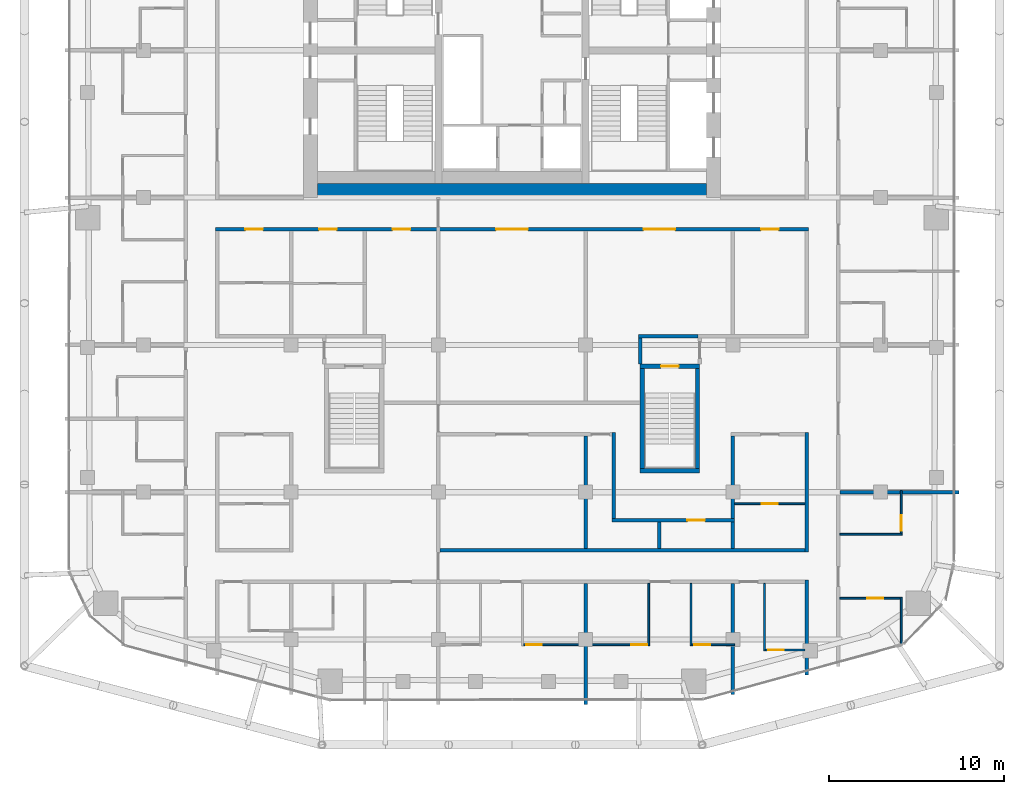
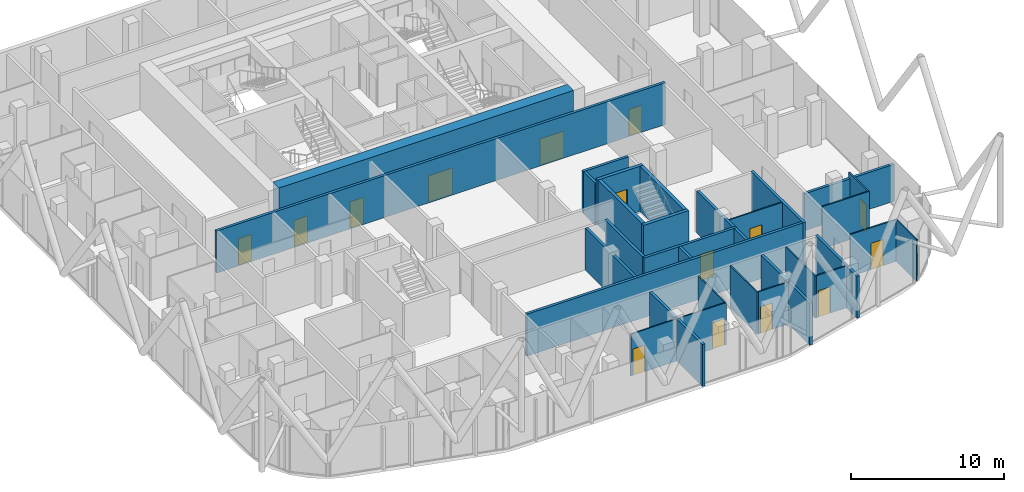
# One storey, part 25 of 31: 31 walls, 15 doors, 15 openings.
"""IFC4 building model written with IfcOpenShell, lengths in metres."""

from ifc_helpers import new_model, si_unit, direction, frame, frame_2d, origin, place, context, subcontext, project, spatial, rectangle, extrude, material, layer, layer_set, type_object, element, fill, save


model = new_model("IFC4")

# Units and contexts
model_context = context("Model", 3, precision=1e-05, world=origin(), true_north=direction((0.0, 1.0)))
body_context = subcontext(model_context, "Body", "Model", "MODEL_VIEW")
ifc_project = project(units=[si_unit("LENGTHUNIT", "METRE"), si_unit("AREAUNIT", "SQUARE_METRE"), si_unit("VOLUMEUNIT", "CUBIC_METRE"), si_unit("PLANEANGLEUNIT", "RADIAN"), si_unit("MASSUNIT", "GRAM", prefix="KILO")], contexts=[model_context])

# Site, building, storey
site_placement = place(None, origin())
site = spatial("IfcSite", under=ifc_project, at=site_placement, CompositionType="ELEMENT")
building_placement = place(site_placement, origin())
building = spatial("IfcBuilding", under=site, at=building_placement, Name="Marenta Gate Hotel Tower", CompositionType="ELEMENT")
storey_placement = place(building_placement, frame((0.0, 0.0, 205.699951171875)))
storey = spatial("IfcBuildingStorey", under=building, at=storey_placement, Name="L47", CompositionType="ELEMENT", Elevation=205.699951171875)

# Walls
ifc_material_1 = material(Name="Concrete C60", Category="concrete")
ifc_layer_1 = layer(ifc_material_1, 0.800048828125)
ifc_layer_set_1 = layer_set([ifc_layer_1], Name="Concrete C60")
wall_type_1 = type_object("IfcWallType", Name="Core wall 800 C60", PredefinedType="SHEAR", material=ifc_layer_set_1)
wall_1_placement = place(storey_placement, frame((-11.10009765625, 0.39990234375, 0.0), z_axis=(0.0, 0.0, 1.0), x_axis=(1.0, 0.0, 0.0)))
element("IfcWall", 1, at=wall_1_placement, inside=storey, type_object=wall_type_1, Name="L47-CORE-S", PredefinedType="SHEAR", context=body_context, shape_type="SweptSolid", body=[
    extrude(rectangle(XDim=22.2001953125, YDim=0.800048828125, at=frame_2d((11.10009765625, 0.0))), origin(), (0.0, 0.0, 1.0), 3.60009765625),
])
ifc_material_2 = material(Name="Concrete C40", Category="concrete")
ifc_layer_2 = layer(ifc_material_2, 0.25)
ifc_layer_set_2 = layer_set([ifc_layer_2], Name="Concrete C40")
wall_type_2 = type_object("IfcWallType", Name="Remote stair enclosure wall 250 REI 180", PredefinedType="SHEAR", material=ifc_layer_set_2)
wall_2_placement = place(storey_placement, frame((7.300048828125, -15.574951171875, 0.10009765625), z_axis=(0.0, 0.0, 1.0), x_axis=(1.0, 0.0, 0.0)))
element("IfcWall", 2, at=wall_2_placement, inside=storey, type_object=wall_type_2, Name="L47-RS-Z3-2-W1", PredefinedType="SHEAR", context=body_context, shape_type="SweptSolid", body=[
    extrude(rectangle(XDim=3.39990234375, YDim=0.25, at=frame_2d((1.699951171875, 0.0))), origin(), (0.0, 0.0, 1.0), 3.599853515625),
])

# Wall, opening, door
wall_3_placement = place(storey_placement, frame((7.300048828125, -9.625, 0.10009765625), z_axis=(0.0, 0.0, 1.0), x_axis=(1.0, 0.0, 0.0)))
wall_3 = element("IfcWall", 3, at=wall_3_placement, inside=storey, type_object=wall_type_2, Name="L47-RS-Z3-2-W2", PredefinedType="SHEAR", context=body_context, shape_type="SweptSolid", body=[
    extrude(rectangle(XDim=3.39990234375, YDim=0.25, at=frame_2d((1.699951171875, 0.0))), origin(), (0.0, 0.0, 1.0), 3.599853515625),
])
opening_1_placement = place(wall_3_placement, frame((1.199951171875, 0.0, 0.0)))
opening_1 = element("IfcOpeningElement", 4, at=opening_1_placement, cuts=wall_3, Name="Opening VD", PredefinedType="OPENING", context=body_context, shape_type="SweptSolid", body=[
    extrude(rectangle(XDim=1.0, YDim=2.10009765625, at=frame_2d((0.5, 1.050048828125))), frame((0.0, 0.125, 0.0), z_axis=(0.0, -1.0, 0.0), x_axis=(1.0, 0.0, 0.0)), (0.0, 0.0, 1.0), 0.25),
])
ifc_material_3 = material(Name="Steel", Category="steel")
door_type_1 = type_object("IfcDoorType", Name="Stair vestibule door 1000x2100 FD60", OperationType="SINGLE_SWING_LEFT", PredefinedType="DOOR", material=ifc_material_3)
door_1_placement = place(opening_1_placement, origin())
door_1 = element("IfcDoor", 5, at=door_1_placement, inside=storey, type_object=door_type_1, Name="VD", OperationType="SINGLE_SWING_LEFT", OverallHeight=2.10009765625, OverallWidth=1.0, PredefinedType="DOOR", context=body_context, shape_type="SweptSolid", body=[
    extrude(rectangle(XDim=1.0, YDim=2.10009765625, at=frame_2d((0.5, 1.050048828125))), frame((0.0, 0.02490234375, 0.0), z_axis=(0.0, -1.0, 0.0), x_axis=(1.0, 0.0, 0.0)), (0.0, 0.0, 1.0), 0.050048828125),
])
fill(opening_1, door_1)

# Walls
for number, where, z_axis, x_axis, name in (
    (6, (7.425048828125, -15.449951171875, 0.10009765625), (0.0, 0.0, 1.0), (0.0, 1.0, 0.0), "L47-RS-Z3-2-W3"),
    (7, (10.574951171875, -15.449951171875, 0.10009765625), (0.0, 0.0, 1.0), (0.0, 1.0, 0.0), "L47-RS-Z3-2-W4"),
):
    element("IfcWall", number, at=place(storey_placement, frame(where, z_axis=z_axis, x_axis=x_axis)), inside=storey, type_object=wall_type_2, Name=name, PredefinedType="SHEAR", context=body_context, shape_type="SweptSolid", body=[
        extrude(rectangle(XDim=5.699951171875, YDim=0.25, at=frame_2d((2.85009765625, 0.0))), origin(), (0.0, 0.0, 1.0), 3.599853515625),
    ])
ifc_material_4 = material(Name="Concrete blockwork", Category="masonry")
ifc_layer_3 = layer(ifc_material_4, 0.199951171875)
ifc_layer_set_3 = layer_set([ifc_layer_3], Name="Concrete blockwork")
wall_type_3 = type_object("IfcWallType", Name="Room corridor wall 200 EI 120", PredefinedType="PARTITIONING", material=ifc_layer_set_3)
wall_4_placement = place(storey_placement, frame((-4.10009765625, -20.10009765625, 0.0), z_axis=(0.0, 0.0, 1.0), x_axis=(1.0, 0.0, 0.0)))
element("IfcWall", 8, at=wall_4_placement, inside=storey, type_object=wall_type_3, Name="L47-PTN-W016", PredefinedType="PARTITIONING", context=body_context, shape_type="SweptSolid", body=[
    extrude(rectangle(XDim=20.800048828125, YDim=0.199951171875, at=frame_2d((10.39990234375, 0.0))), origin(), (0.0, 0.0, 1.0), 3.340087890625),
])
wall_5_placement = place(storey_placement, frame((16.800048828125, -20.199951171875, 0.0), z_axis=(0.0, 0.0, 1.0), x_axis=(0.0, 1.0, 0.0)))
element("IfcWall", 9, at=wall_5_placement, inside=storey, type_object=wall_type_3, Name="L47-PTN-W024", PredefinedType="PARTITIONING", context=body_context, shape_type="SweptSolid", body=[
    extrude(rectangle(XDim=6.800048828125, YDim=0.199951171875, at=frame_2d((3.39990234375, 0.0))), origin(), (0.0, 0.0, 1.0), 3.340087890625),
])
wall_6_placement = place(storey_placement, frame((12.60009765625, -18.300048828125, 0.0), z_axis=(0.0, 0.0, 1.0), x_axis=(0.0, 1.0, 0.0)))
element("IfcWall", 10, at=wall_6_placement, inside=storey, type_object=wall_type_3, Name="L47-PTN-W038", PredefinedType="PARTITIONING", context=body_context, shape_type="SweptSolid", body=[
    extrude(rectangle(XDim=4.699951171875, YDim=0.199951171875, at=frame_2d((2.35009765625, 0.0))), origin(), (0.0, 0.0, 1.0), 3.340087890625),
])

# Wall, openings, doors
wall_7_placement = place(storey_placement, frame((-16.89990234375, -1.800048828125, 0.0), z_axis=(0.0, 0.0, 1.0), x_axis=(1.0, 0.0, 0.0)))
wall_7 = element("IfcWall", 11, at=wall_7_placement, inside=storey, type_object=wall_type_3, Name="L47-PTN-W064", PredefinedType="PARTITIONING", context=body_context, shape_type="SweptSolid", body=[
    extrude(rectangle(XDim=33.7998046875, YDim=0.199951171875, at=frame_2d((16.89990234375, 0.0))), origin(), (0.0, 0.0, 1.0), 3.340087890625),
])
opening_2_placement = place(wall_7_placement, frame((1.699951171875, 0.0, 0.0)))
opening_2 = element("IfcOpeningElement", 12, at=opening_2_placement, cuts=wall_7, Name="Opening G16-01", PredefinedType="OPENING", context=body_context, shape_type="SweptSolid", body=[
    extrude(rectangle(XDim=1.0, YDim=2.10009765625, at=frame_2d((0.5, 1.050048828125))), frame((0.0, 0.10009765625, 0.0), z_axis=(0.0, -1.0, 0.0), x_axis=(1.0, 0.0, 0.0)), (0.0, 0.0, 1.0), 0.199951171875),
])
opening_3_placement = place(wall_7_placement, frame((5.89990234375, 0.0, 0.0)))
opening_3 = element("IfcOpeningElement", 13, at=opening_3_placement, cuts=wall_7, Name="Opening G16-03", PredefinedType="OPENING", context=body_context, shape_type="SweptSolid", body=[
    extrude(rectangle(XDim=1.0, YDim=2.10009765625, at=frame_2d((0.5, 1.050048828125))), frame((0.0, 0.10009765625, 0.0), z_axis=(0.0, -1.0, 0.0), x_axis=(1.0, 0.0, 0.0)), (0.0, 0.0, 1.0), 0.199951171875),
])
opening_4_placement = place(wall_7_placement, frame((10.10009765625, 0.0, 0.0)))
opening_4 = element("IfcOpeningElement", 14, at=opening_4_placement, cuts=wall_7, Name="Opening G16-05", PredefinedType="OPENING", context=body_context, shape_type="SweptSolid", body=[
    extrude(rectangle(XDim=1.0, YDim=2.10009765625, at=frame_2d((0.5, 1.050048828125))), frame((0.0, 0.10009765625, 0.0), z_axis=(0.0, -1.0, 0.0), x_axis=(1.0, 0.0, 0.0)), (0.0, 0.0, 1.0), 0.199951171875),
])
opening_5_placement = place(wall_7_placement, frame((16.0, 0.0, 0.0)))
opening_5 = element("IfcOpeningElement", 15, at=opening_5_placement, cuts=wall_7, Name="Opening G16-06", PredefinedType="OPENING", context=body_context, shape_type="SweptSolid", body=[
    extrude(rectangle(XDim=1.800048828125, YDim=2.10009765625, at=frame_2d((0.89990234375, 1.050048828125))), frame((0.0, 0.10009765625, 0.0), z_axis=(0.0, -1.0, 0.0), x_axis=(1.0, 0.0, 0.0)), (0.0, 0.0, 1.0), 0.199951171875),
])
opening_6_placement = place(wall_7_placement, frame((24.39990234375, 0.0, 0.0)))
opening_6 = element("IfcOpeningElement", 16, at=opening_6_placement, cuts=wall_7, Name="Opening G16-07", PredefinedType="OPENING", context=body_context, shape_type="SweptSolid", body=[
    extrude(rectangle(XDim=1.800048828125, YDim=2.10009765625, at=frame_2d((0.89990234375, 1.050048828125))), frame((0.0, 0.10009765625, 0.0), z_axis=(0.0, -1.0, 0.0), x_axis=(1.0, 0.0, 0.0)), (0.0, 0.0, 1.0), 0.199951171875),
])
opening_7_placement = place(wall_7_placement, frame((31.10009765625, 0.0, 0.0)))
opening_7 = element("IfcOpeningElement", 17, at=opening_7_placement, cuts=wall_7, Name="Opening G16-08", PredefinedType="OPENING", context=body_context, shape_type="SweptSolid", body=[
    extrude(rectangle(XDim=1.0, YDim=2.10009765625, at=frame_2d((0.5, 1.050048828125))), frame((0.0, 0.10009765625, 0.0), z_axis=(0.0, -1.0, 0.0), x_axis=(1.0, 0.0, 0.0)), (0.0, 0.0, 1.0), 0.199951171875),
])
ifc_material_5 = material(Name="Timber door leaf", Category="wood")
door_type_2 = type_object("IfcDoorType", Name="Room amenity door 1000x2100 EI 60", OperationType="NOTDEFINED", PredefinedType="DOOR", material=ifc_material_5)
door_2_placement = place(opening_4_placement, origin())
door_2 = element("IfcDoor", 18, at=door_2_placement, inside=storey, type_object=door_type_2, Name="L47-PD-D005", OperationType="SINGLE_SWING_RIGHT", OverallHeight=2.10009765625, OverallWidth=1.0, PredefinedType="DOOR", context=body_context, shape_type="SweptSolid", body=[
    extrude(rectangle(XDim=1.0, YDim=2.10009765625, at=frame_2d((0.5, 1.050048828125))), frame((0.0, 0.02490234375, 0.0), z_axis=(0.0, -1.0, 0.0), x_axis=(1.0, 0.0, 0.0)), (0.0, 0.0, 1.0), 0.050048828125),
])
fill(opening_4, door_2)
door_3_placement = place(opening_7_placement, origin())
door_3 = element("IfcDoor", 19, at=door_3_placement, inside=storey, type_object=door_type_2, Name="L47-PD-D008", OperationType="SINGLE_SWING_LEFT", OverallHeight=2.10009765625, OverallWidth=1.0, PredefinedType="DOOR", context=body_context, shape_type="SweptSolid", body=[
    extrude(rectangle(XDim=1.0, YDim=2.10009765625, at=frame_2d((0.5, 1.050048828125))), frame((0.0, 0.02490234375, 0.0), z_axis=(0.0, -1.0, 0.0), x_axis=(1.0, 0.0, 0.0)), (0.0, 0.0, 1.0), 0.050048828125),
])
fill(opening_7, door_3)
ifc_material_6 = material(Name="Timber door leaf", Category="wood")
door_type_3 = type_object("IfcDoorType", Name="Room amenity door 1800x2100 EI 60", OperationType="DOUBLE_DOOR_SINGLE_SWING", PredefinedType="DOOR", material=ifc_material_6)
door_4_placement = place(opening_5_placement, origin())
door_4 = element("IfcDoor", 20, at=door_4_placement, inside=storey, type_object=door_type_3, Name="L47-PD-D006", OperationType="DOUBLE_DOOR_SINGLE_SWING", OverallHeight=2.10009765625, OverallWidth=1.800048828125, PredefinedType="DOOR", context=body_context, shape_type="SweptSolid", body=[
    extrude(rectangle(XDim=1.800048828125, YDim=2.10009765625, at=frame_2d((0.89990234375, 1.050048828125))), frame((0.0, 0.02490234375, 0.0), z_axis=(0.0, -1.0, 0.0), x_axis=(1.0, 0.0, 0.0)), (0.0, 0.0, 1.0), 0.050048828125),
])
fill(opening_5, door_4)
door_5_placement = place(opening_6_placement, origin())
door_5 = element("IfcDoor", 21, at=door_5_placement, inside=storey, type_object=door_type_3, Name="L47-PD-D007", OperationType="DOUBLE_DOOR_SINGLE_SWING", OverallHeight=2.10009765625, OverallWidth=1.800048828125, PredefinedType="DOOR", context=body_context, shape_type="SweptSolid", body=[
    extrude(rectangle(XDim=1.800048828125, YDim=2.10009765625, at=frame_2d((0.89990234375, 1.050048828125))), frame((0.0, 0.02490234375, 0.0), z_axis=(0.0, -1.0, 0.0), x_axis=(1.0, 0.0, 0.0)), (0.0, 0.0, 1.0), 0.050048828125),
])
fill(opening_6, door_5)
ifc_material_7 = material(Name="Hollow steel door set", Category="steel")
door_type_4 = type_object("IfcDoorType", Name="Room service door 1000x2100 EI 60", OperationType="NOTDEFINED", PredefinedType="DOOR", material=ifc_material_7)
door_6_placement = place(opening_2_placement, origin())
door_6 = element("IfcDoor", 22, at=door_6_placement, inside=storey, type_object=door_type_4, Name="L47-PD-D001", OperationType="SINGLE_SWING_LEFT", OverallHeight=2.10009765625, OverallWidth=1.0, PredefinedType="DOOR", context=body_context, shape_type="SweptSolid", body=[
    extrude(rectangle(XDim=1.0, YDim=2.10009765625, at=frame_2d((0.5, 1.050048828125))), frame((0.0, 0.02490234375, 0.0), z_axis=(0.0, -1.0, 0.0), x_axis=(1.0, 0.0, 0.0)), (0.0, 0.0, 1.0), 0.050048828125),
])
fill(opening_2, door_6)
door_7_placement = place(opening_3_placement, origin())
door_7 = element("IfcDoor", 23, at=door_7_placement, inside=storey, type_object=door_type_4, Name="L47-PD-D003", OperationType="SINGLE_SWING_LEFT", OverallHeight=2.10009765625, OverallWidth=1.0, PredefinedType="DOOR", context=body_context, shape_type="SweptSolid", body=[
    extrude(rectangle(XDim=1.0, YDim=2.10009765625, at=frame_2d((0.5, 1.050048828125))), frame((0.0, 0.02490234375, 0.0), z_axis=(0.0, -1.0, 0.0), x_axis=(1.0, 0.0, 0.0)), (0.0, 0.0, 1.0), 0.050048828125),
])
fill(opening_3, door_7)

# Wall, opening, door
ifc_material_8 = material(Name="Gypsum board on steel stud", Category="steel")
ifc_layer_4 = layer(ifc_material_8, 0.199951171875)
ifc_layer_set_4 = layer_set([ifc_layer_4], Name="Gypsum board on steel stud")
wall_type_4 = type_object("IfcWallType", Name="Room corridor wall 200 EI 60", PredefinedType="PARTITIONING", material=ifc_layer_set_4)
wall_8_placement = place(storey_placement, frame((5.699951171875, -18.39990234375, 0.0), z_axis=(0.0, 0.0, 1.0), x_axis=(1.0, 0.0, 0.0)))
wall_8 = element("IfcWall", 24, at=wall_8_placement, inside=storey, type_object=wall_type_4, Name="L47-PTN-W020", PredefinedType="PARTITIONING", context=body_context, shape_type="SweptSolid", body=[
    extrude(rectangle(XDim=7.0, YDim=0.199951171875, at=frame_2d((3.5, 0.0))), origin(), (0.0, 0.0, 1.0), 3.340087890625),
])
opening_8_placement = place(wall_8_placement, frame((4.300048828125, 0.0, 0.0)))
opening_8 = element("IfcOpeningElement", 25, at=opening_8_placement, cuts=wall_8, Name="Opening G16-13", PredefinedType="OPENING", context=body_context, shape_type="SweptSolid", body=[
    extrude(rectangle(XDim=1.0, YDim=2.10009765625, at=frame_2d((0.5, 1.050048828125))), frame((0.0, 0.10009765625, 0.0), z_axis=(0.0, -1.0, 0.0), x_axis=(1.0, 0.0, 0.0)), (0.0, 0.0, 1.0), 0.199951171875),
])
ifc_material_9 = material(Name="Timber door leaf", Category="wood")
door_type_5 = type_object("IfcDoorType", Name="Room amenity door 1000x2100 EI 30", OperationType="NOTDEFINED", PredefinedType="DOOR", material=ifc_material_9)
door_8_placement = place(opening_8_placement, origin())
door_8 = element("IfcDoor", 26, at=door_8_placement, inside=storey, type_object=door_type_5, Name="L47-PD-D013", OperationType="SINGLE_SWING_RIGHT", OverallHeight=2.10009765625, OverallWidth=1.0, PredefinedType="DOOR", context=body_context, shape_type="SweptSolid", body=[
    extrude(rectangle(XDim=1.0, YDim=2.10009765625, at=frame_2d((0.5, 1.050048828125))), frame((0.0, 0.02490234375, 0.0), z_axis=(0.0, -1.0, 0.0), x_axis=(1.0, 0.0, 0.0)), (0.0, 0.0, 1.0), 0.050048828125),
])
fill(opening_8, door_8)

# Walls
wall_9_placement = place(storey_placement, frame((16.800048828125, -27.22900390625, 0.0), z_axis=(0.0, 0.0, 1.0), x_axis=(0.0, 1.0, 0.0)))
element("IfcWall", 27, at=wall_9_placement, inside=storey, type_object=wall_type_4, Name="L47-PTN-W023", PredefinedType="PARTITIONING", context=body_context, shape_type="SweptSolid", body=[
    extrude(rectangle(XDim=5.428955078125, YDim=0.199951171875, at=frame_2d((2.71435546875, 0.0))), origin(), (0.0, 0.0, 1.0), 3.340087890625),
])
wall_10_placement = place(storey_placement, frame((5.800048828125, -18.300048828125, 0.0), z_axis=(0.0, 0.0, 1.0), x_axis=(0.0, 1.0, 0.0)))
element("IfcWall", 28, at=wall_10_placement, inside=storey, type_object=wall_type_4, Name="L47-PTN-W054", PredefinedType="PARTITIONING", context=body_context, shape_type="SweptSolid", body=[
    extrude(rectangle(XDim=4.900146484375, YDim=0.199951171875, at=frame_2d((2.4501953125, 0.0))), origin(), (0.0, 0.0, 1.0), 3.340087890625),
])

# Wall, opening, door
ifc_material_10 = material(Name="Gypsum board on steel stud", Category="steel")
ifc_layer_5 = layer(ifc_material_10, 0.10009765625)
ifc_layer_set_5 = layer_set([ifc_layer_5], Name="Gypsum board on steel stud")
wall_type_5 = type_object("IfcWallType", Name="Room partition 100", PredefinedType="PARTITIONING", material=ifc_layer_set_5)
wall_11_placement = place(storey_placement, frame((14.449951171875, -25.800048828125, 0.0), z_axis=(0.0, 0.0, 1.0), x_axis=(1.0, 0.0, 0.0)))
wall_11 = element("IfcWall", 29, at=wall_11_placement, inside=storey, type_object=wall_type_5, Name="L47-PTN-W001", PredefinedType="PARTITIONING", context=body_context, shape_type="SweptSolid", body=[
    extrude(rectangle(XDim=2.25, YDim=0.10009765625, at=frame_2d((1.125, 0.0))), origin(), (0.0, 0.0, 1.0), 3.340087890625),
])
opening_9_placement = place(wall_11_placement, frame((0.14990234375, 0.0, 0.0)))
opening_9 = element("IfcOpeningElement", 30, at=opening_9_placement, cuts=wall_11, Name="Opening G16-45", PredefinedType="OPENING", context=body_context, shape_type="SweptSolid", body=[
    extrude(rectangle(XDim=0.89990234375, YDim=2.10009765625, at=frame_2d((0.449951171875, 1.050048828125))), frame((0.0, 0.050048828125, 0.0), z_axis=(0.0, -1.0, 0.0), x_axis=(1.0, 0.0, 0.0)), (0.0, 0.0, 1.0), 0.10009765625),
])
ifc_material_11 = material(Name="Timber door leaf", Category="wood")
door_type_6 = type_object("IfcDoorType", Name="Guest bathroom door 900x2100", OperationType="NOTDEFINED", PredefinedType="DOOR", material=ifc_material_11)
door_9_placement = place(opening_9_placement, origin())
door_9 = element("IfcDoor", 31, at=door_9_placement, inside=storey, type_object=door_type_6, Name="L47-PD-D045", OperationType="SINGLE_SWING_LEFT", OverallHeight=2.10009765625, OverallWidth=0.89990234375, PredefinedType="DOOR", context=body_context, shape_type="SweptSolid", body=[
    extrude(rectangle(XDim=0.89990234375, YDim=2.10009765625, at=frame_2d((0.449951171875, 1.050048828125))), frame((0.0, 0.02490234375, 0.0), z_axis=(0.0, -1.0, 0.0), x_axis=(1.0, 0.0, 0.0)), (0.0, 0.0, 1.0), 0.050048828125),
])
fill(opening_9, door_9)

# Wall, openings, doors
wall_12_placement = place(storey_placement, frame((0.64990234375, -25.5, 0.0), z_axis=(0.0, 0.0, 1.0), x_axis=(1.0, 0.0, 0.0)))
wall_12 = element("IfcWall", 32, at=wall_12_placement, inside=storey, type_object=wall_type_5, Name="L47-PTN-W003", PredefinedType="PARTITIONING", context=body_context, shape_type="SweptSolid", body=[
    extrude(rectangle(XDim=7.2001953125, YDim=0.10009765625, at=frame_2d((3.60009765625, 0.0))), origin(), (0.0, 0.0, 1.0), 3.340087890625),
])
opening_10_placement = place(wall_12_placement, frame((0.14990234375, 0.0, 0.0)))
opening_10 = element("IfcOpeningElement", 33, at=opening_10_placement, cuts=wall_12, Name="Opening G16-39", PredefinedType="OPENING", context=body_context, shape_type="SweptSolid", body=[
    extrude(rectangle(XDim=0.89990234375, YDim=2.10009765625, at=frame_2d((0.449951171875, 1.050048828125))), frame((0.0, 0.050048828125, 0.0), z_axis=(0.0, -1.0, 0.0), x_axis=(1.0, 0.0, 0.0)), (0.0, 0.0, 1.0), 0.10009765625),
])
opening_11_placement = place(wall_12_placement, frame((6.14990234375, 0.0, 0.0)))
opening_11 = element("IfcOpeningElement", 34, at=opening_11_placement, cuts=wall_12, Name="Opening G16-42", PredefinedType="OPENING", context=body_context, shape_type="SweptSolid", body=[
    extrude(rectangle(XDim=0.89990234375, YDim=2.10009765625, at=frame_2d((0.449951171875, 1.050048828125))), frame((0.0, 0.050048828125, 0.0), z_axis=(0.0, -1.0, 0.0), x_axis=(1.0, 0.0, 0.0)), (0.0, 0.0, 1.0), 0.10009765625),
])
door_10_placement = place(opening_10_placement, origin())
door_10 = element("IfcDoor", 35, at=door_10_placement, inside=storey, type_object=door_type_6, Name="L47-PD-D039", OperationType="SINGLE_SWING_LEFT", OverallHeight=2.10009765625, OverallWidth=0.89990234375, PredefinedType="DOOR", context=body_context, shape_type="SweptSolid", body=[
    extrude(rectangle(XDim=0.89990234375, YDim=2.10009765625, at=frame_2d((0.449951171875, 1.050048828125))), frame((0.0, 0.02490234375, 0.0), z_axis=(0.0, -1.0, 0.0), x_axis=(1.0, 0.0, 0.0)), (0.0, 0.0, 1.0), 0.050048828125),
])
fill(opening_10, door_10)
door_11_placement = place(opening_11_placement, origin())
door_11 = element("IfcDoor", 36, at=door_11_placement, inside=storey, type_object=door_type_6, Name="L47-PD-D042", OperationType="SINGLE_SWING_RIGHT", OverallHeight=2.10009765625, OverallWidth=0.89990234375, PredefinedType="DOOR", context=body_context, shape_type="SweptSolid", body=[
    extrude(rectangle(XDim=0.89990234375, YDim=2.10009765625, at=frame_2d((0.449951171875, 1.050048828125))), frame((0.0, 0.02490234375, 0.0), z_axis=(0.0, -1.0, 0.0), x_axis=(1.0, 0.0, 0.0)), (0.0, 0.0, 1.0), 0.050048828125),
])
fill(opening_11, door_11)

# Wall, opening, door
wall_13_placement = place(storey_placement, frame((10.25, -25.5, 0.0), z_axis=(0.0, 0.0, 1.0), x_axis=(1.0, 0.0, 0.0)))
wall_13 = element("IfcWall", 37, at=wall_13_placement, inside=storey, type_object=wall_type_5, Name="L47-PTN-W004", PredefinedType="PARTITIONING", context=body_context, shape_type="SweptSolid", body=[
    extrude(rectangle(XDim=2.449951171875, YDim=0.10009765625, at=frame_2d((1.22509765625, 0.0))), origin(), (0.0, 0.0, 1.0), 3.340087890625),
])
opening_12_placement = place(wall_13_placement, frame((0.14990234375, 0.0, 0.0)))
opening_12 = element("IfcOpeningElement", 38, at=opening_12_placement, cuts=wall_13, Name="Opening G16-43", PredefinedType="OPENING", context=body_context, shape_type="SweptSolid", body=[
    extrude(rectangle(XDim=0.89990234375, YDim=2.10009765625, at=frame_2d((0.449951171875, 1.050048828125))), frame((0.0, 0.050048828125, 0.0), z_axis=(0.0, -1.0, 0.0), x_axis=(1.0, 0.0, 0.0)), (0.0, 0.0, 1.0), 0.10009765625),
])
ifc_material_12 = material(Name="Timber door leaf", Category="wood")
door_type_7 = type_object("IfcDoorType", Name="Room inner door 900x2100", OperationType="NOTDEFINED", PredefinedType="DOOR", material=ifc_material_12)
door_12_placement = place(opening_12_placement, origin())
door_12 = element("IfcDoor", 39, at=door_12_placement, inside=storey, type_object=door_type_7, Name="L47-PD-D043", OperationType="SINGLE_SWING_LEFT", OverallHeight=2.10009765625, OverallWidth=0.89990234375, PredefinedType="DOOR", context=body_context, shape_type="SweptSolid", body=[
    extrude(rectangle(XDim=0.89990234375, YDim=2.10009765625, at=frame_2d((0.449951171875, 1.050048828125))), frame((0.0, 0.02490234375, 0.0), z_axis=(0.0, -1.0, 0.0), x_axis=(1.0, 0.0, 0.0)), (0.0, 0.0, 1.0), 0.050048828125),
])
fill(opening_12, door_12)

wall_14_placement = place(storey_placement, frame((18.699951171875, -22.85107421875, 0.0), z_axis=(0.0, 0.0, 1.0), x_axis=(1.0, 0.0, 0.0)))
wall_14 = element("IfcWall", 40, at=wall_14_placement, inside=storey, type_object=wall_type_5, Name="L47-PTN-W008", PredefinedType="PARTITIONING", context=body_context, shape_type="SweptSolid", body=[
    extrude(rectangle(XDim=3.449951171875, YDim=0.10009765625, at=frame_2d((1.72509765625, 0.0))), origin(), (0.0, 0.0, 1.0), 3.340087890625),
])
opening_13_placement = place(wall_14_placement, frame((1.56005859375, 0.0, 0.0)))
opening_13 = element("IfcOpeningElement", 41, at=opening_13_placement, cuts=wall_14, Name="Opening G16-17", PredefinedType="OPENING", context=body_context, shape_type="SweptSolid", body=[
    extrude(rectangle(XDim=0.89990234375, YDim=2.10009765625, at=frame_2d((0.449951171875, 1.050048828125))), frame((0.0, 0.050048828125, 0.0), z_axis=(0.0, -1.0, 0.0), x_axis=(1.0, 0.0, 0.0)), (0.0, 0.0, 1.0), 0.10009765625),
])
door_13_placement = place(opening_13_placement, origin())
door_13 = element("IfcDoor", 42, at=door_13_placement, inside=storey, type_object=door_type_6, Name="L47-PD-D017", OperationType="SINGLE_SWING_LEFT", OverallHeight=2.10009765625, OverallWidth=0.89990234375, PredefinedType="DOOR", context=body_context, shape_type="SweptSolid", body=[
    extrude(rectangle(XDim=0.89990234375, YDim=2.10009765625, at=frame_2d((0.449951171875, 1.050048828125))), frame((0.0, 0.02490234375, 0.0), z_axis=(0.0, -1.0, 0.0), x_axis=(1.0, 0.0, 0.0)), (0.0, 0.0, 1.0), 0.050048828125),
])
fill(opening_13, door_13)

# Wall
wall_15_placement = place(storey_placement, frame((22.199951171875, -25.552001953125, 0.0), z_axis=(0.0, 0.0, 1.0), x_axis=(0.0, 1.0, 0.0)))
element("IfcWall", 43, at=wall_15_placement, inside=storey, type_object=wall_type_5, Name="L47-PTN-W011", PredefinedType="PARTITIONING", context=body_context, shape_type="SweptSolid", body=[
    extrude(rectangle(XDim=2.7509765625, YDim=0.10009765625, at=frame_2d((1.37548828125, 0.0))), origin(), (0.0, 0.0, 1.0), 3.340087890625),
])

# Wall, opening, door
wall_16_placement = place(storey_placement, frame((22.199951171875, -19.14990234375, 0.0), z_axis=(0.0, 0.0, 1.0), x_axis=(0.0, 1.0, 0.0)))
wall_16 = element("IfcWall", 44, at=wall_16_placement, inside=storey, type_object=wall_type_5, Name="L47-PTN-W012", PredefinedType="PARTITIONING", context=body_context, shape_type="SweptSolid", body=[
    extrude(rectangle(XDim=2.449951171875, YDim=0.10009765625, at=frame_2d((1.22509765625, 0.0))), origin(), (0.0, 0.0, 1.0), 3.340087890625),
])
opening_14_placement = place(wall_16_placement, frame((0.14990234375, 0.0, 0.0)))
opening_14 = element("IfcOpeningElement", 45, at=opening_14_placement, cuts=wall_16, Name="Opening G16-18", PredefinedType="OPENING", context=body_context, shape_type="SweptSolid", body=[
    extrude(rectangle(XDim=0.89990234375, YDim=2.10009765625, at=frame_2d((0.449951171875, 1.050048828125))), frame((0.0, 0.050048828125, 0.0), z_axis=(0.0, -1.0, 0.0), x_axis=(1.0, 0.0, 0.0)), (0.0, 0.0, 1.0), 0.10009765625),
])
door_14_placement = place(opening_14_placement, origin())
door_14 = element("IfcDoor", 46, at=door_14_placement, inside=storey, type_object=door_type_7, Name="L47-PD-D018", OperationType="SINGLE_SWING_LEFT", OverallHeight=2.10009765625, OverallWidth=0.89990234375, PredefinedType="DOOR", context=body_context, shape_type="SweptSolid", body=[
    extrude(rectangle(XDim=0.89990234375, YDim=2.10009765625, at=frame_2d((0.449951171875, 1.050048828125))), frame((0.0, 0.02490234375, 0.0), z_axis=(0.0, -1.0, 0.0), x_axis=(1.0, 0.0, 0.0)), (0.0, 0.0, 1.0), 0.050048828125),
])
fill(opening_14, door_14)

# Wall
wall_17_placement = place(storey_placement, frame((18.699951171875, -19.199951171875, 0.0), z_axis=(0.0, 0.0, 1.0), x_axis=(1.0, 0.0, 0.0)))
element("IfcWall", 47, at=wall_17_placement, inside=storey, type_object=wall_type_5, Name="L47-PTN-W018", PredefinedType="PARTITIONING", context=body_context, shape_type="SweptSolid", body=[
    extrude(rectangle(XDim=3.550048828125, YDim=0.10009765625, at=frame_2d((1.77490234375, 0.0))), origin(), (0.0, 0.0, 1.0), 3.340087890625),
])

# Wall, opening, door
wall_18_placement = place(storey_placement, frame((12.699951171875, -17.4599609375, 0.0), z_axis=(0.0, 0.0, 1.0), x_axis=(1.0, 0.0, 0.0)))
wall_18 = element("IfcWall", 48, at=wall_18_placement, inside=storey, type_object=wall_type_5, Name="L47-PTN-W022", PredefinedType="PARTITIONING", context=body_context, shape_type="SweptSolid", body=[
    extrude(rectangle(XDim=4.0, YDim=0.10009765625, at=frame_2d((2.0, 0.0))), origin(), (0.0, 0.0, 1.0), 3.340087890625),
])
opening_15_placement = place(wall_18_placement, frame((1.550048828125, 0.0, 0.0)))
opening_15 = element("IfcOpeningElement", 49, at=opening_15_placement, cuts=wall_18, Name="Opening G16-15", PredefinedType="OPENING", context=body_context, shape_type="SweptSolid", body=[
    extrude(rectangle(XDim=0.89990234375, YDim=2.10009765625, at=frame_2d((0.449951171875, 1.050048828125))), frame((0.0, 0.050048828125, 0.0), z_axis=(0.0, -1.0, 0.0), x_axis=(1.0, 0.0, 0.0)), (0.0, 0.0, 1.0), 0.10009765625),
])
door_15_placement = place(opening_15_placement, origin())
door_15 = element("IfcDoor", 50, at=door_15_placement, inside=storey, type_object=door_type_7, Name="L47-PD-D015", OperationType="SINGLE_SWING_RIGHT", OverallHeight=2.10009765625, OverallWidth=0.89990234375, PredefinedType="DOOR", context=body_context, shape_type="SweptSolid", body=[
    extrude(rectangle(XDim=0.89990234375, YDim=2.10009765625, at=frame_2d((0.449951171875, 1.050048828125))), frame((0.0, 0.02490234375, 0.0), z_axis=(0.0, -1.0, 0.0), x_axis=(1.0, 0.0, 0.0)), (0.0, 0.0, 1.0), 0.050048828125),
])
fill(opening_15, door_15)

# Walls
wall_19_placement = place(storey_placement, frame((14.39990234375, -25.85009765625, 0.0), z_axis=(0.0, 0.0, 1.0), x_axis=(0.0, 1.0, 0.0)))
element("IfcWall", 51, at=wall_19_placement, inside=storey, type_object=wall_type_5, Name="L47-PTN-W030", PredefinedType="PARTITIONING", context=body_context, shape_type="SweptSolid", body=[
    extrude(rectangle(XDim=3.85009765625, YDim=0.10009765625, at=frame_2d((1.925048828125, 0.0))), origin(), (0.0, 0.0, 1.0), 3.340087890625),
])
wall_20_placement = place(storey_placement, frame((10.199951171875, -25.550048828125, 0.0), z_axis=(0.0, 0.0, 1.0), x_axis=(0.0, 1.0, 0.0)))
element("IfcWall", 52, at=wall_20_placement, inside=storey, type_object=wall_type_5, Name="L47-PTN-W042", PredefinedType="PARTITIONING", context=body_context, shape_type="SweptSolid", body=[
    extrude(rectangle(XDim=3.550048828125, YDim=0.10009765625, at=frame_2d((1.77490234375, 0.0))), origin(), (0.0, 0.0, 1.0), 3.340087890625),
])
wall_21_placement = place(storey_placement, frame((7.800048828125, -25.449951171875, 0.0), z_axis=(0.0, 0.0, 1.0), x_axis=(0.0, 1.0, 0.0)))
element("IfcWall", 53, at=wall_21_placement, inside=storey, type_object=wall_type_5, Name="L47-PTN-W051", PredefinedType="PARTITIONING", context=body_context, shape_type="SweptSolid", body=[
    extrude(rectangle(XDim=3.449951171875, YDim=0.10009765625, at=frame_2d((1.72509765625, 0.0))), origin(), (0.0, 0.0, 1.0), 3.340087890625),
])
ifc_material_13 = material(Name="Concrete blockwork", Category="masonry")
ifc_layer_6 = layer(ifc_material_13, 0.199951171875)
ifc_layer_set_6 = layer_set([ifc_layer_6], Name="Concrete blockwork")
wall_type_6 = type_object("IfcWallType", Name="Room party wall 200 EI 120", PredefinedType="PARTITIONING", material=ifc_layer_set_6)
wall_22_placement = place(storey_placement, frame((12.60009765625, -20.0, 0.0), z_axis=(0.0, 0.0, 1.0), x_axis=(0.0, 1.0, 0.0)))
element("IfcWall", 54, at=wall_22_placement, inside=storey, type_object=wall_type_6, Name="L47-PTN-W035", PredefinedType="PARTITIONING", context=body_context, shape_type="SweptSolid", body=[
    extrude(rectangle(XDim=1.5, YDim=0.199951171875, at=frame_2d((0.75, 0.0))), origin(), (0.0, 0.0, 1.0), 3.340087890625),
])
ifc_material_14 = material(Name="Gypsum board on steel stud", Category="steel")
ifc_layer_7 = layer(ifc_material_14, 0.199951171875)
ifc_layer_set_7 = layer_set([ifc_layer_7], Name="Gypsum board on steel stud")
wall_type_7 = type_object("IfcWallType", Name="Room party wall 200 EI 60", PredefinedType="PARTITIONING", material=ifc_layer_set_7)
wall_23_placement = place(storey_placement, frame((18.699951171875, -16.800048828125, 0.0), z_axis=(0.0, 0.0, 1.0), x_axis=(1.0, 0.0, 0.0)))
element("IfcWall", 55, at=wall_23_placement, inside=storey, type_object=wall_type_7, Name="L47-PTN-W028", PredefinedType="PARTITIONING", context=body_context, shape_type="SweptSolid", body=[
    extrude(rectangle(XDim=6.800048828125, YDim=0.199951171875, at=frame_2d((3.39990234375, 0.0))), origin(), (0.0, 0.0, 1.0), 2.93994140625),
])
wall_24_placement = place(storey_placement, frame((12.60009765625, -28.343017578125, 0.0), z_axis=(0.0, 0.0, 1.0), x_axis=(0.0, 1.0, 0.0)))
element("IfcWall", 56, at=wall_24_placement, inside=storey, type_object=wall_type_7, Name="L47-PTN-W034", PredefinedType="PARTITIONING", context=body_context, shape_type="SweptSolid", body=[
    extrude(rectangle(XDim=6.343017578125, YDim=0.199951171875, at=frame_2d((3.17138671875, 0.0))), origin(), (0.0, 0.0, 1.0), 3.340087890625),
])
wall_25_placement = place(storey_placement, frame((8.39990234375, -20.0, 0.0), z_axis=(0.0, 0.0, 1.0), x_axis=(0.0, 1.0, 0.0)))
element("IfcWall", 57, at=wall_25_placement, inside=storey, type_object=wall_type_7, Name="L47-PTN-W044", PredefinedType="PARTITIONING", context=body_context, shape_type="SweptSolid", body=[
    extrude(rectangle(XDim=1.5, YDim=0.199951171875, at=frame_2d((0.75, 0.0))), origin(), (0.0, 0.0, 1.0), 3.340087890625),
])
wall_26_placement = place(storey_placement, frame((4.199951171875, -28.89990234375, 0.0), z_axis=(0.0, 0.0, 1.0), x_axis=(0.0, 1.0, 0.0)))
element("IfcWall", 58, at=wall_26_placement, inside=storey, type_object=wall_type_7, Name="L47-PTN-W058", PredefinedType="PARTITIONING", context=body_context, shape_type="SweptSolid", body=[
    extrude(rectangle(XDim=6.89990234375, YDim=0.199951171875, at=frame_2d((3.449951171875, 0.0))), origin(), (0.0, 0.0, 1.0), 3.340087890625),
])
wall_27_placement = place(storey_placement, frame((4.199951171875, -20.0, 0.0), z_axis=(0.0, 0.0, 1.0), x_axis=(0.0, 1.0, 0.0)))
element("IfcWall", 59, at=wall_27_placement, inside=storey, type_object=wall_type_7, Name="L47-PTN-W059", PredefinedType="PARTITIONING", context=body_context, shape_type="SweptSolid", body=[
    extrude(rectangle(XDim=6.39990234375, YDim=0.199951171875, at=frame_2d((3.199951171875, 0.0))), origin(), (0.0, 0.0, 1.0), 3.340087890625),
])
ifc_material_15 = material(Name="Concrete blockwork", Category="masonry")
ifc_layer_8 = layer(ifc_material_15, 0.199951171875)
ifc_layer_set_8 = layer_set([ifc_layer_8], Name="Concrete blockwork")
wall_type_8 = type_object("IfcWallType", Name="Room party wall 200 REI 180", PredefinedType="PARTITIONING", material=ifc_layer_set_8)
wall_28_placement = place(storey_placement, frame((7.199951171875, -7.89990234375, 0.0), z_axis=(0.0, 0.0, 1.0), x_axis=(1.0, 0.0, 0.0)))
element("IfcWall", 60, at=wall_28_placement, inside=storey, type_object=wall_type_8, Name="L47-PTN-W050", PredefinedType="PARTITIONING", context=body_context, shape_type="SweptSolid", body=[
    extrude(rectangle(XDim=3.400146484375, YDim=0.199951171875, at=frame_2d((1.7001953125, 0.0))), origin(), (0.0, 0.0, 1.0), 3.340087890625),
])
wall_29_placement = place(storey_placement, frame((7.300048828125, -9.5, 0.0), z_axis=(0.0, 0.0, 1.0), x_axis=(0.0, 1.0, 0.0)))
element("IfcWall", 61, at=wall_29_placement, inside=storey, type_object=wall_type_8, Name="L47-PTN-W052", PredefinedType="PARTITIONING", context=body_context, shape_type="SweptSolid", body=[
    extrude(rectangle(XDim=1.5, YDim=0.199951171875, at=frame_2d((0.75, 0.0))), origin(), (0.0, 0.0, 1.0), 3.340087890625),
])

save(model, "model.ifc")
